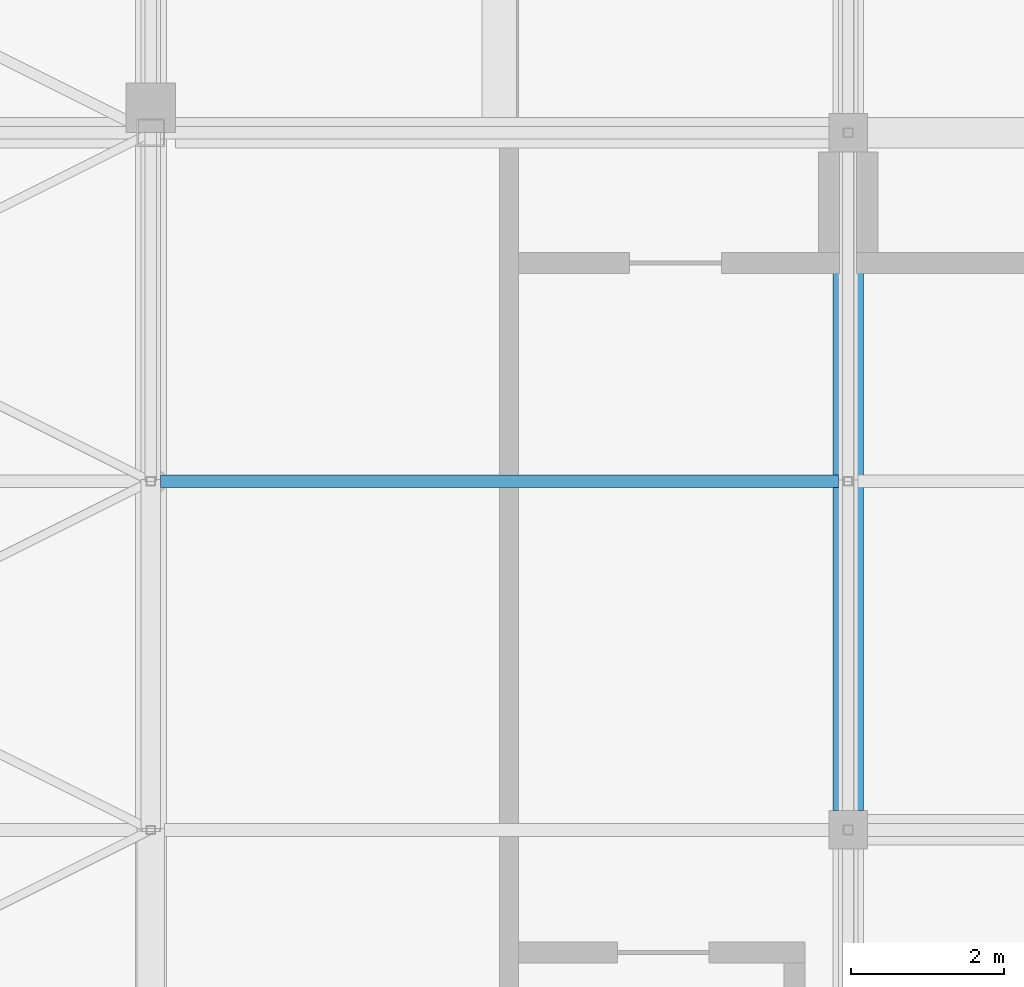
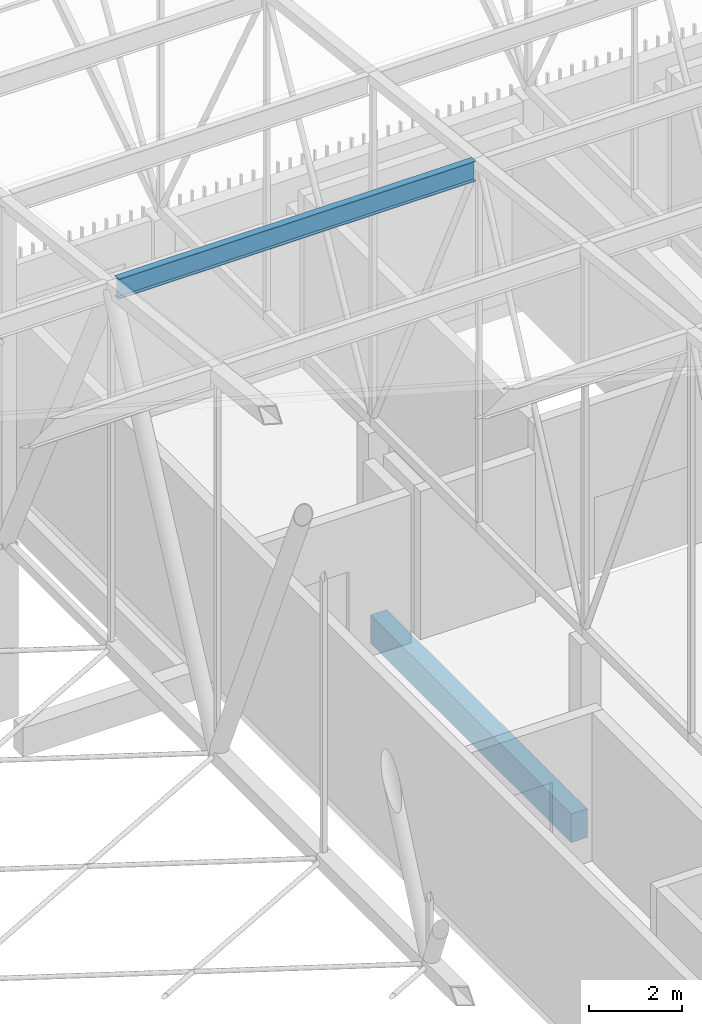
# One storey, part 315 of 500: 1 beam, 1 member.
"""IFC4 building model written with IfcOpenShell, lengths in metres."""

from ifc_helpers import new_model, si_unit, direction, frame, origin, origin_2d, place, context, subcontext, project, spatial, rectangle, i_section, extrude, material, material_profile, profile_set, type_object, element, save


model = new_model("IFC4")

# Units and contexts
model_context = context("Model", 3, precision=1e-05, world=origin(), true_north=direction((0.0, 1.0)))
body_context = subcontext(model_context, "Body", "Model", "MODEL_VIEW")
ifc_project = project(units=[si_unit("LENGTHUNIT", "METRE"), si_unit("AREAUNIT", "SQUARE_METRE"), si_unit("VOLUMEUNIT", "CUBIC_METRE"), si_unit("PLANEANGLEUNIT", "RADIAN"), si_unit("MASSUNIT", "GRAM", prefix="KILO")], contexts=[model_context])

# Site, building, storey
site_placement = place(None, origin())
site = spatial("IfcSite", under=ifc_project, at=site_placement, CompositionType="ELEMENT")
building_placement = place(site_placement, origin())
building = spatial("IfcBuilding", under=site, at=building_placement, Name="Shirokan Park Arena", CompositionType="ELEMENT")
storey_placement = place(building_placement, frame((0.0, 0.0, 29.1201171875)))
storey = spatial("IfcBuildingStorey", under=building, at=storey_placement, Name="L06", CompositionType="ELEMENT", Elevation=29.1201171875)

# Member
ifc_material_1 = material(Name="Steel ASTM A992", Category="steel")
ifc_material_profile_1 = material_profile(ifc_material_1, i_section(OverallWidth=0.166015625, OverallDepth=0.528076171875, WebThickness=0.009765625, FlangeThickness=0.013671875, at=origin_2d()), Name="W530X74")
ifc_profile_set_1 = profile_set([ifc_material_profile_1], Name="Steel ASTM A992")
member_type = type_object("IfcMemberType", Name="Purlin W530X74", PredefinedType="PURLIN", material=ifc_profile_set_1)
member_placement = place(storey_placement, frame((100.22705078125, 95.550048828125, 14.0458984375), z_axis=(1.0, 0.0, 0.0), x_axis=(0.0, 1.0, 0.0)))
element("IfcMember", 1, at=member_placement, inside=storey, type_object=member_type, Name="Purlin 24 bay 12", PredefinedType="PURLIN", context=body_context, shape_type="SweptSolid", body=[
    extrude(i_section(OverallWidth=0.166015625, OverallDepth=0.528076171875, WebThickness=0.009765625, FlangeThickness=0.013671875, at=origin_2d()), origin(), (0.0, 0.0, 1.0), 8.845947265625),
])

# Beam
ifc_material_2 = material(Name="Concrete C35", Category="concrete")
ifc_material_profile_2 = material_profile(ifc_material_2, rectangle(XDim=0.39990234375, YDim=0.75, at=origin_2d()), Name="400x750")
ifc_profile_set_2 = profile_set([ifc_material_profile_2], Name="Concrete C35")
beam_type = type_object("IfcBeamType", Name="RC girder 400x750", PredefinedType="BEAM", material=ifc_profile_set_2)
beam_placement = place(storey_placement, frame((109.199951171875, 91.25, -0.5751953125), z_axis=(0.0, 1.0, 0.0), x_axis=(-1.0, 0.0, 0.0)))
element("IfcBeam", 2, at=beam_placement, inside=storey, type_object=beam_type, Name="Girder 13L-13M L06", PredefinedType="BEAM", context=body_context, shape_type="SweptSolid", body=[
    extrude(rectangle(XDim=0.39990234375, YDim=0.75, at=origin_2d()), origin(), (0.0, 0.0, 1.0), 8.599853515625),
])

save(model, "model.ifc")
